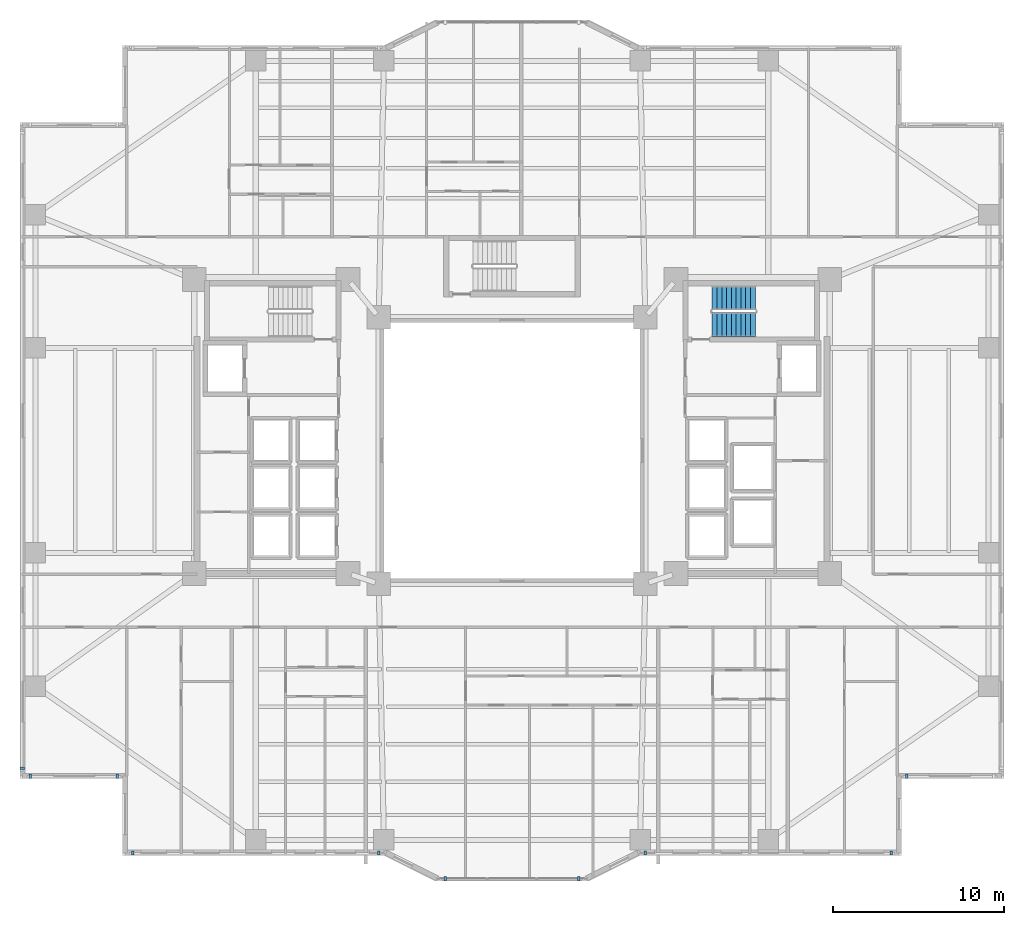
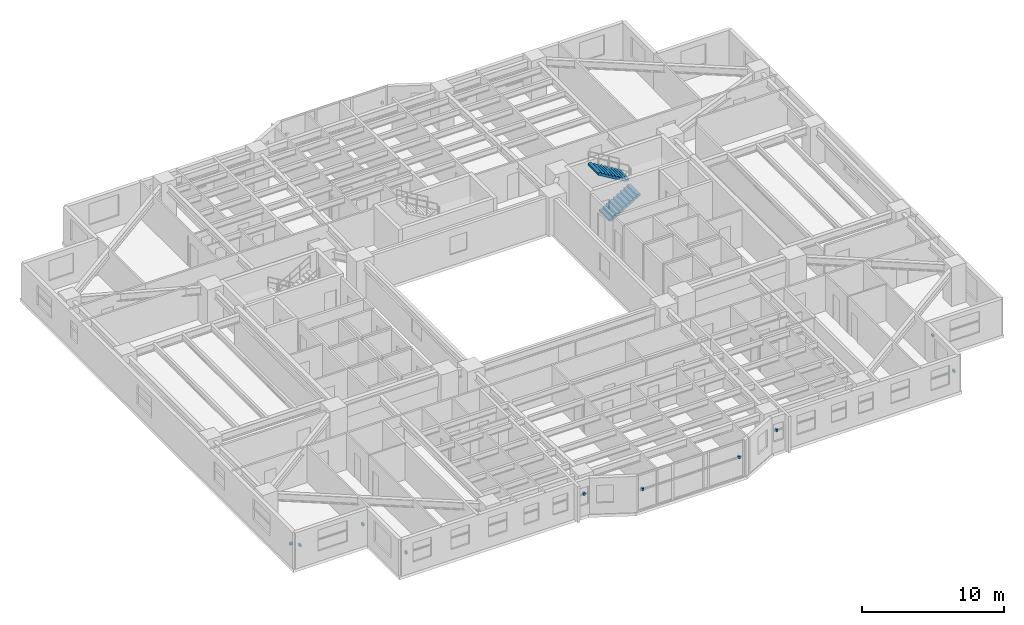
# One storey, part 16 of 21: 10 discrete accessories, 2 stair flights, 1 element without a shape of its own.
"""IFC4 building model written with IfcOpenShell, lengths in metres."""

import ifcopenshell
import ifcopenshell.guid

model = None  # the IFC model being written
_history = None  # IfcOwnerHistory: only IFC2X3 demands one
_inside = {}  # id of a spatial element -> (the spatial element, [elements in it])
_under = {}  # id of a project, library or spatial element -> (it, [spatial elements below it])
_declared = {}  # id of a project -> (the project, [libraries it declares])
_typed = {}  # id of a type object -> (the type object, [elements of that type])
_made_of = {}  # id of a material, layer set ... -> (it, [elements and type objects made of it])


def new_model(schema):
    """Start an empty IFC model of exactly this schema.

    Asked for "IFC4X3", IfcOpenShell would pick the latest addendum, in which some entities
    have other attributes; the version numbers below select the first issue.
    IFC2X3 requires an IfcOwnerHistory on every rooted entity: one is made here for all.
    """
    global model, _history
    if schema == "IFC4X3":
        model = ifcopenshell.file(schema_version=(4, 3, 0, 0))
    else:
        model = ifcopenshell.file(schema=schema)
    _inside.clear()
    _under.clear()
    _declared.clear()
    _typed.clear()
    _made_of.clear()
    _history = None
    if model.schema == "IFC2X3":
        org = make("IfcOrganization", Name="unknown")
        user = make(
            "IfcPersonAndOrganization",
            ThePerson=make("IfcPerson", FamilyName="unknown"),
            TheOrganization=org,
        )
        app = make(
            "IfcApplication",
            ApplicationDeveloper=org,
            Version="unknown",
            ApplicationFullName="unknown",
            ApplicationIdentifier="unknown",
        )
        _history = make(
            "IfcOwnerHistory",
            OwningUser=user,
            OwningApplication=app,
            ChangeAction="ADDED",
            CreationDate=0,
        )
    return model


def make(cls, **values):
    """One entity of the class cls with the attributes given. An attribute that is None is left unset."""
    return model.create_entity(
        cls, **{name: value for name, value in values.items() if value is not None}
    )


def rooted(cls, **values):
    """An entity with a GlobalId (a new one), such as an element, a storey or a relation."""
    return make(cls, GlobalId=ifcopenshell.guid.new(), OwnerHistory=_history, **values)


def si_unit(unit_type, name, prefix=None):
    """IfcSIUnit, for example si_unit("LENGTHUNIT", "METRE", prefix="MILLI")."""
    return make("IfcSIUnit", UnitType=unit_type, Prefix=prefix, Name=name)


def assignment(units):
    """IfcUnitAssignment: the units of a project."""
    return None if units is None else make("IfcUnitAssignment", Units=units)


def point(xyz):
    """IfcCartesianPoint."""
    return None if xyz is None else make("IfcCartesianPoint", Coordinates=xyz)


def direction(xyz):
    """IfcDirection."""
    return None if xyz is None else make("IfcDirection", DirectionRatios=xyz)


def frame(location, z_axis=None, x_axis=None):
    """IfcAxis2Placement3D, a coordinate frame: its origin and axes. An axis left out is left unset."""
    return make(
        "IfcAxis2Placement3D",
        Location=point(location),
        Axis=direction(z_axis),
        RefDirection=direction(x_axis),
    )


def frame_2d(location, x_axis=None):
    """IfcAxis2Placement2D, a coordinate frame in the plane: its origin and x axis."""
    return make(
        "IfcAxis2Placement2D", Location=point(location), RefDirection=direction(x_axis)
    )


def origin():
    """The frame at (0, 0, 0) with its axes left unset."""
    return frame((0.0, 0.0, 0.0))


def origin_2d():
    """The frame at (0, 0) in the plane with its x axis left unset."""
    return frame_2d((0.0, 0.0))


def place(relative_to, where):
    """IfcLocalPlacement: puts the frame where relative to a parent placement (None: the world)."""
    return make(
        "IfcLocalPlacement", PlacementRelTo=relative_to, RelativePlacement=where
    )


def context(
    kind, dimensions, precision=None, world=None, true_north=None, identifier=None
):
    """IfcGeometricRepresentationContext, for example the 3D "Model" context."""
    return make(
        "IfcGeometricRepresentationContext",
        ContextIdentifier=identifier,
        ContextType=kind,
        CoordinateSpaceDimension=dimensions,
        Precision=precision,
        WorldCoordinateSystem=world,
        TrueNorth=true_north,
    )


def subcontext(parent, identifier, kind, view, scale=None):
    """IfcGeometricRepresentationSubContext, for example "Body" below "Model"."""
    return make(
        "IfcGeometricRepresentationSubContext",
        ContextIdentifier=identifier,
        ContextType=kind,
        ParentContext=parent,
        TargetScale=scale,
        TargetView=view,
    )


def project(units=None, contexts=None):
    """IfcProject with its units and contexts."""
    return rooted(
        "IfcProject",
        Name="project",
        RepresentationContexts=contexts,
        UnitsInContext=assignment(units),
    )


def spatial(cls, under=None, at=None, **own):
    """A site, building, storey or space (cls), placed at a placement, below another one or the project."""
    s = rooted(cls, ObjectPlacement=at, **own)
    if under is not None:
        _under.setdefault(under.id(), (under, []))[1].append(s)
    return s


def polyline(points):
    """IfcPolyline through the points."""
    return make("IfcPolyline", Points=[point(p) for p in points])


def profile(cls, at=None, kind="AREA", **sizes):
    """A parametric profile (cls). Its sizes go by their IFC names, for example OverallWidth=200.0."""
    return make(cls, ProfileType=kind, Position=at, **sizes)


def rectangle(**sizes):
    """IfcRectangleProfileDef."""
    return profile("IfcRectangleProfileDef", **sizes)


def outline(outer, holes=None, kind="AREA"):
    """IfcArbitraryClosedProfileDef: a profile drawn as a closed curve; with holes, ...WithVoids."""
    if holes is None:
        return make("IfcArbitraryClosedProfileDef", ProfileType=kind, OuterCurve=outer)
    return make(
        "IfcArbitraryProfileDefWithVoids",
        ProfileType=kind,
        OuterCurve=outer,
        InnerCurves=holes,
    )


def extrude(swept, where, along, depth):
    """IfcExtrudedAreaSolid: the profile swept, set in the frame where, extruded along a direction by depth."""
    return make(
        "IfcExtrudedAreaSolid",
        SweptArea=swept,
        Position=where,
        ExtrudedDirection=direction(along),
        Depth=depth,
    )


def shape(context_of_items, identifier, shape_type, items):
    """IfcShapeRepresentation: the items that make up one representation, for example the "Body"."""
    return make(
        "IfcShapeRepresentation",
        ContextOfItems=context_of_items,
        RepresentationIdentifier=identifier,
        RepresentationType=shape_type,
        Items=items,
    )


def material(Name=None, Category=None):
    """IfcMaterial."""
    return make("IfcMaterial", Name=Name, Category=Category)


def made_of(thing, what):
    """Note that an element or type object is made of a material, layer set ...; save() writes the relation."""
    if what is not None:
        _made_of.setdefault(what.id(), (what, []))[1].append(thing)
    return thing


def type_object(cls, material=None, **own):
    """A type object (cls), such as IfcWallType, which elements share."""
    return made_of(rooted(cls, **own), material)


def element(
    cls,
    number,
    at=None,
    inside=None,
    cuts=None,
    type_object=None,
    material=None,
    context=None,
    identifier="Body",
    shape_type=None,
    held_by="IfcProductDefinitionShape",
    body=None,
    shapes=None,
    **own,
):
    """One element of the class cls, such as IfcWall. Its Tag is "e" and its number.

    at: its placement. inside: the storey or other place that contains it. cuts: it is an
    opening in that element (IfcRelVoidsElement). A single representation is given by context,
    identifier, shape_type and body (its items); several are given by shapes. held_by: the class
    of the entity that holds the representations. save() writes the other relations.
    """
    e = rooted(cls, Tag="e%d" % number, ObjectPlacement=at, **own)
    if body is not None:
        shapes = [shape(context, identifier, shape_type, body)]
    if shapes is not None:
        e.Representation = make(held_by, Representations=shapes)
    if inside is not None:
        _inside.setdefault(inside.id(), (inside, []))[1].append(e)
    if cuts is not None:
        rooted(
            "IfcRelVoidsElement", RelatingBuildingElement=cuts, RelatedOpeningElement=e
        )
    if type_object is not None:
        _typed.setdefault(type_object.id(), (type_object, []))[1].append(e)
    return made_of(e, material)


def aggregate(whole, parts):
    """IfcRelAggregates: a whole, such as a stair, and the parts it consists of."""
    return rooted("IfcRelAggregates", RelatingObject=whole, RelatedObjects=parts)


def save(model, path):
    """Write the relations noted so far, then the file.

    IfcRelAggregates (storeys below a building ...), IfcRelContainedInSpatialStructure (elements
    in a storey), IfcRelDefinesByType, IfcRelAssociatesMaterial and IfcRelDeclares: one each for
    every whole, place, type object, material and project.
    """
    for whole, parts in _under.values():
        aggregate(whole, parts)
    for where, things in _inside.values():
        rooted(
            "IfcRelContainedInSpatialStructure",
            RelatedElements=things,
            RelatingStructure=where,
        )
    for kind, things in _typed.values():
        rooted("IfcRelDefinesByType", RelatedObjects=things, RelatingType=kind)
    for what, things in _made_of.values():
        rooted("IfcRelAssociatesMaterial", RelatedObjects=things, RelatingMaterial=what)
    for by, libraries in _declared.values():
        rooted("IfcRelDeclares", RelatingContext=by, RelatedDefinitions=libraries)
    model.write(path)


model = new_model("IFC4")

# Units and contexts
model_context = context("Model", 3, precision=1e-05, world=origin(), true_north=direction((0.0, 1.0)))
body_context = subcontext(model_context, "Body", "Model", "MODEL_VIEW")
ifc_project = project(units=[si_unit("LENGTHUNIT", "METRE"), si_unit("AREAUNIT", "SQUARE_METRE"), si_unit("VOLUMEUNIT", "CUBIC_METRE"), si_unit("PLANEANGLEUNIT", "RADIAN"), si_unit("MASSUNIT", "GRAM", prefix="KILO")], contexts=[model_context])

# Site, building, storey
site_placement = place(None, origin())
site = spatial("IfcSite", under=ifc_project, at=site_placement, CompositionType="ELEMENT")
building_placement = place(site_placement, origin())
building = spatial("IfcBuilding", under=site, at=building_placement, Name="Tarnavaz Court Tower", CompositionType="ELEMENT")
storey_placement = place(building_placement, frame((0.0, 0.0, 40.75)))
storey = spatial("IfcBuildingStorey", under=building, at=storey_placement, Name="L10", CompositionType="ELEMENT", Elevation=40.75)

# Stair, stair flights
ifc_material_1 = material(Name="Concrete C40/50", Category="concrete")
stair_type = type_object("IfcStairType", Name="ST-TWR-20R", PredefinedType="HALF_TURN_STAIR", material=ifc_material_1)
stair_placement = place(storey_placement, origin())
stair = element("IfcStair", 1, at=stair_placement, inside=storey, type_object=stair_type, Name="L10 East Core Pressurized Exit Stair ST-E1", PredefinedType="HALF_TURN_STAIR")
stair_flight_type = type_object("IfcStairFlightType", Name="SFL-RC-20R", PredefinedType="STRAIGHT", material=ifc_material_1)
stair_flight_1_placement = place(storey_placement, frame((11.719970703125, 7.360107421875, 0.0), z_axis=(0.0, 0.0, 1.0), x_axis=(1.0, 0.0, 0.0)))
stair_flight_1 = element("IfcStairFlight", 2, at=stair_flight_1_placement, type_object=stair_flight_type, Name="ST-E1 flight 1", NumberOfRisers=10, NumberOfTreads=9, PredefinedType="STRAIGHT", RiserHeight=0.1675, TreadLength=0.28, context=body_context, shape_type="SweptSolid", body=[
    extrude(outline(polyline([(0.0, 0.0), (0.0, 0.16748046875), (0.280029296875, 0.16748046875), (0.280029296875, 0.3349609375), (0.56005859375, 0.3349609375), (0.56005859375, 0.50244140625), (0.840087890625, 0.50244140625), (0.840087890625, 0.669921875), (1.1201171875, 0.669921875), (1.1201171875, 0.83740234375), (1.39990234375, 0.83740234375), (1.39990234375, 1.0048828125), (1.679931640625, 1.0048828125), (1.679931640625, 1.172607421875), (1.9599609375, 1.172607421875), (1.9599609375, 1.340087890625), (2.239990234375, 1.340087890625), (2.239990234375, 1.507568359375), (2.52001953125, 1.507568359375), (2.52001953125, 1.675048828125), (2.52001953125, 1.332763671875), (0.2919921875, 0.0), (0.0, 0.0)])), frame((0.0, 0.7099609375, 0.0), z_axis=(0.0, -1.0, 0.0), x_axis=(1.0, 0.0, 0.0)), (0.0, 0.0, 1.0), 1.419921875),
])
stair_flight_2_placement = place(storey_placement, frame((14.239990234375, 8.929931640625, 1.675048828125), z_axis=(0.0, 0.0, 1.0), x_axis=(-1.0, 0.0, 0.0)))
stair_flight_2 = element("IfcStairFlight", 3, at=stair_flight_2_placement, type_object=stair_flight_type, Name="ST-E1 flight 2", NumberOfRisers=10, NumberOfTreads=9, PredefinedType="STRAIGHT", RiserHeight=0.1675, TreadLength=0.28, context=body_context, shape_type="SweptSolid", body=[
    extrude(outline(polyline([(0.0, 0.0), (0.0, 0.16748046875), (0.280029296875, 0.16748046875), (0.280029296875, 0.3349609375), (0.56005859375, 0.3349609375), (0.56005859375, 0.50244140625), (0.840087890625, 0.50244140625), (0.840087890625, 0.669921875), (1.1201171875, 0.669921875), (1.1201171875, 0.83740234375), (1.39990234375, 0.83740234375), (1.39990234375, 1.0048828125), (1.679931640625, 1.0048828125), (1.679931640625, 1.172607421875), (1.9599609375, 1.172607421875), (1.9599609375, 1.340087890625), (2.239990234375, 1.340087890625), (2.239990234375, 1.507568359375), (2.52001953125, 1.507568359375), (2.52001953125, 1.675048828125), (2.52001953125, 1.332763671875), (0.2919921875, 0.0), (0.0, 0.0)])), frame((0.0, 0.7099609375, 0.0), z_axis=(0.0, -1.0, 0.0), x_axis=(1.0, 0.0, 0.0)), (0.0, 0.0, 1.0), 1.419921875),
])
aggregate(stair, [stair_flight_1, stair_flight_2])

# Discrete accessories
ifc_material_2 = material(Name="Anodised Aluminium 6063-T6", Category="aluminium")
discrete_accessory_type = type_object("IfcDiscreteAccessoryType", Name="DA-BRKT-ALU", PredefinedType="BRACKET", material=ifc_material_2)
for number, where, z_axis, x_axis, name in (
    (4, (-23.10009765625, -19.070068359375, 1.75), (0.0, 0.0, 1.0), (-1.0, 0.0, 0.0), "L10 Baguette Outrigger Bracket FBG01-1"),
    (5, (-28.199951171875, -19.070068359375, 1.75), (0.0, 0.0, 1.0), (-1.0, 0.0, 0.0), "L10 Baguette Outrigger Bracket FBG01-2"),
    (6, (-28.669921875, -18.60009765625, 1.75), (0.0, 0.0, 1.0), (0.0, 1.0, 0.0), "L10 Baguette Outrigger Bracket FBG02-1"),
    (7, (23.10009765625, -19.070068359375, 1.75), (0.0, 0.0, 1.0), (-1.0, 0.0, 0.0), "L10 Baguette Outrigger Bracket FBG13-2"),
    (8, (22.199951171875, -23.570068359375, 1.75), (0.0, 0.0, 1.0), (-1.0, 0.0, 0.0), "L10 Baguette Outrigger Bracket FBG15-1"),
    (9, (7.800048828125, -23.570068359375, 1.75), (0.0, 0.0, 1.0), (-1.0, 0.0, 0.0), "L10 Baguette Outrigger Bracket FBG15-2"),
    (10, (3.89990234375, -25.070068359375, 1.7001953125), (0.0, 0.0, 1.0), (-1.0, 0.0, 0.0), "L10 Baguette Outrigger Bracket PBG17-1"),
    (11, (-3.89990234375, -25.070068359375, 1.7001953125), (0.0, 0.0, 1.0), (-1.0, 0.0, 0.0), "L10 Baguette Outrigger Bracket PBG17-2"),
    (12, (-7.800048828125, -23.570068359375, 1.75), (0.0, 0.0, 1.0), (-1.0, 0.0, 0.0), "L10 Baguette Outrigger Bracket FBG19-1"),
    (13, (-22.199951171875, -23.570068359375, 1.75), (0.0, 0.0, 1.0), (-1.0, 0.0, 0.0), "L10 Baguette Outrigger Bracket FBG19-2"),
):
    element("IfcDiscreteAccessory", number, at=place(storey_placement, frame(where, z_axis=z_axis, x_axis=x_axis)), inside=storey, type_object=discrete_accessory_type, Name=name, PredefinedType="BRACKET", context=body_context, shape_type="SweptSolid", body=[
        extrude(rectangle(XDim=0.139892578125, YDim=0.239990234375, at=origin_2d()), origin(), (0.0, 0.0, 1.0), 0.199951171875),
    ])

save(model, "model.ifc")
